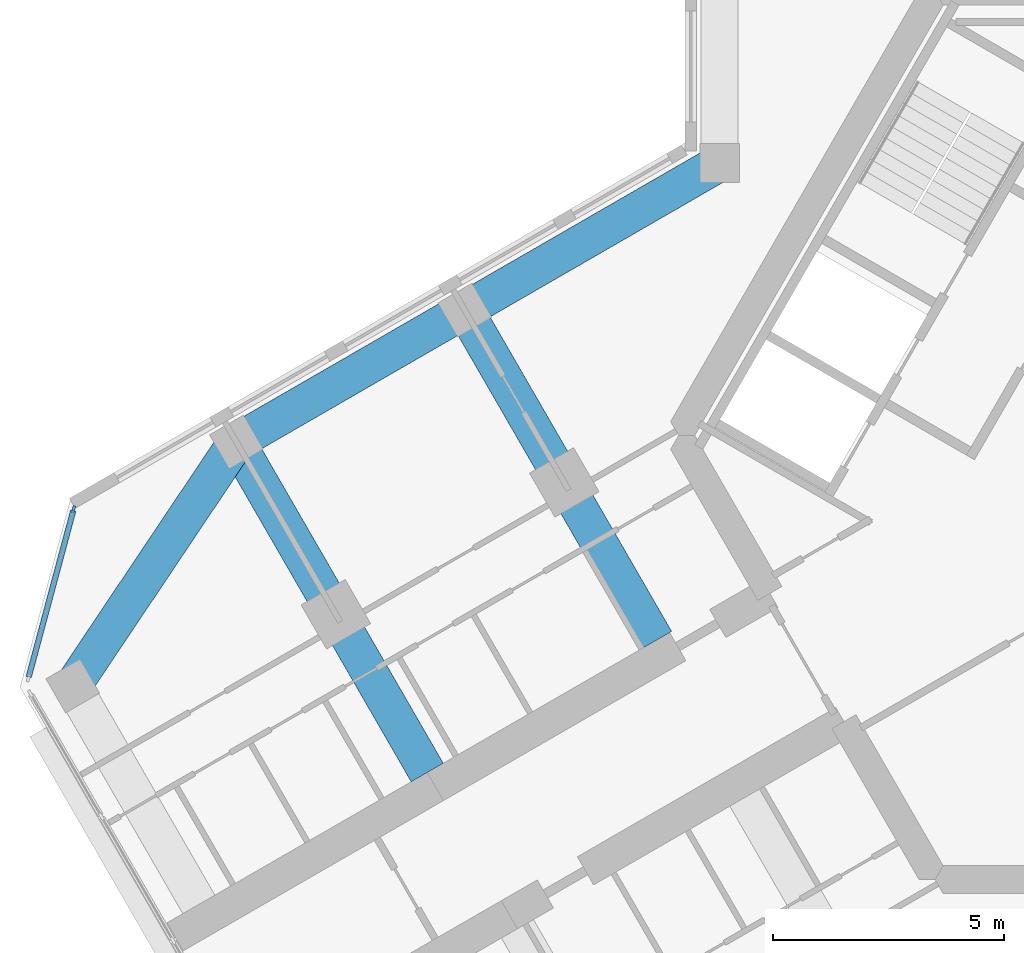
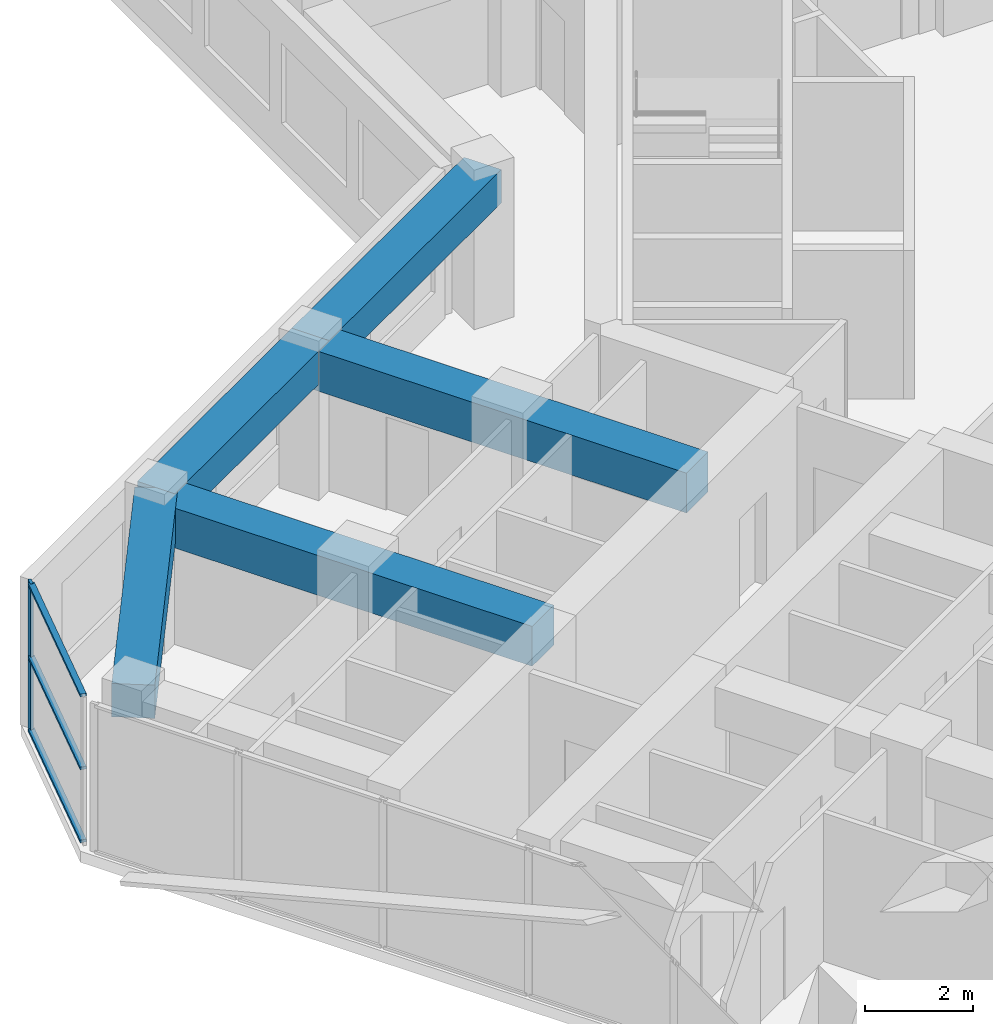
# One storey, part 3 of 16: 5 beams, 4 members, 1 element without a shape of its own.
"""IFC4 building model written with IfcOpenShell, lengths in metres."""

from ifc_helpers import new_model, si_unit, direction, frame, origin, origin_2d, place, context, subcontext, project, spatial, rectangle, extrude, material, material_profile, profile_set, type_object, element, aggregate, save


model = new_model("IFC4")

# Units and contexts
model_context = context("Model", 3, precision=1e-05, world=origin(), true_north=direction((0.0, 1.0)))
body_context = subcontext(model_context, "Body", "Model", "MODEL_VIEW")
ifc_project = project(units=[si_unit("LENGTHUNIT", "METRE"), si_unit("AREAUNIT", "SQUARE_METRE"), si_unit("VOLUMEUNIT", "CUBIC_METRE"), si_unit("PLANEANGLEUNIT", "RADIAN"), si_unit("MASSUNIT", "GRAM", prefix="KILO")], contexts=[model_context])

# Site, building, storey
site_placement = place(None, origin())
site = spatial("IfcSite", under=ifc_project, at=site_placement, CompositionType="ELEMENT")
building_placement = place(site_placement, origin())
building = spatial("IfcBuilding", under=site, at=building_placement, Name="Kosmar Iwan School Tower", CompositionType="ELEMENT")
storey_placement = place(building_placement, frame((0.0, 0.0, 231.60009765625)))
storey = spatial("IfcBuildingStorey", under=building, at=storey_placement, Name="L58", CompositionType="ELEMENT", Elevation=231.60009765625)

# Curtain wall, member
ifc_material_1 = material(Name="Dark glass in black aluminium frame", Category="aluminium")
curtain_wall_type = type_object("IfcCurtainWallType", Name="Chamfer curtain wall dark glass", PredefinedType="USERDEFINED", material=ifc_material_1)
curtain_wall_placement = place(storey_placement, origin())
curtain_wall = element("IfcCurtainWall", 1, at=curtain_wall_placement, inside=storey, type_object=curtain_wall_type, Name="Curtain wall L58-F10", ObjectType="FACETED CURTAIN WALL", PredefinedType="USERDEFINED")
ifc_material_2 = material(Name="Black anodised aluminium", Category="aluminium")
ifc_material_profile_1 = material_profile(ifc_material_2, rectangle(XDim=0.06005859375, YDim=0.159912109375, at=origin_2d()), Name="MULLION 60x160")
ifc_profile_set_1 = profile_set([ifc_material_profile_1], Name="Black anodised aluminium")
member_type_1 = type_object("IfcMemberType", Name="Mullion 60x160", PredefinedType="MULLION", material=ifc_profile_set_1)
member_1_placement = place(storey_placement, frame((-24.163818359375, -1.59814453125, 0.0), z_axis=(0.0, 0.0, 1.0), x_axis=(0.965925875495, -0.258818861462, 0.0)))
member_1 = element("IfcMember", 2, at=member_1_placement, type_object=member_type_1, Name="CW2 mullion 1", PredefinedType="MULLION", context=body_context, shape_type="SweptSolid", body=[
    extrude(rectangle(XDim=0.06005859375, YDim=0.159912109375, at=origin_2d()), origin(), (0.0, 0.0, 1.0), 3.349853515625),
])

# Beams
ifc_material_3 = material(Name="Concrete C50/60", Category="concrete")
ifc_material_profile_2 = material_profile(ifc_material_3, rectangle(XDim=0.800048828125, YDim=0.75, at=origin_2d()), Name="RC 800x750")
ifc_profile_set_2 = profile_set([ifc_material_profile_2], Name="Concrete C50/60")
beam_type_1 = type_object("IfcBeamType", Name="RC edge beam 800x750", PredefinedType="BEAM", material=ifc_profile_set_2)
beam_1_placement = place(storey_placement, frame((-10.199951171875, 5.888916015625, 2.974853515625), z_axis=(-0.866030912664, -0.49999045822, 0.0), x_axis=(0.49999045822, -0.866030912664, 0.0)))
element("IfcBeam", 3, at=beam_1_placement, inside=storey, type_object=beam_type_1, Name="Edge beam BR1", PredefinedType="BEAM", context=body_context, shape_type="SweptSolid", body=[
    extrude(rectangle(XDim=0.800048828125, YDim=0.75, at=origin_2d()), origin(), (0.0, 0.0, 1.0), 6.36083984375),
])
beam_2_placement = place(storey_placement, frame((-15.708740234375, 2.70849609375, 2.974853515625), z_axis=(-0.866025820012, -0.499999279071, 0.0), x_axis=(0.499999279071, -0.866025820012, 0.0)))
element("IfcBeam", 4, at=beam_2_placement, inside=storey, type_object=beam_type_1, Name="Edge beam BR2", PredefinedType="BEAM", context=body_context, shape_type="SweptSolid", body=[
    extrude(rectangle(XDim=0.800048828125, YDim=0.75, at=origin_2d()), origin(), (0.0, 0.0, 1.0), 5.7001953125),
])
ifc_material_4 = material(Name="Concrete C50/60", Category="concrete")
ifc_material_profile_3 = material_profile(ifc_material_4, rectangle(XDim=0.800048828125, YDim=0.75, at=origin_2d()), Name="RC 800x750")
ifc_profile_set_3 = profile_set([ifc_material_profile_3], Name="Concrete C50/60")
beam_type_2 = type_object("IfcBeamType", Name="RC tip beam 800x750", PredefinedType="BEAM", material=ifc_profile_set_3)
beam_3_placement = place(storey_placement, frame((-20.645263671875, -0.1416015625, 2.974853515625), z_axis=(-0.556827604145, -0.83062808721, 0.0), x_axis=(0.83062808721, -0.556827604145, 0.0)))
element("IfcBeam", 5, at=beam_3_placement, inside=storey, type_object=beam_type_2, Name="Tip beam BR", PredefinedType="BEAM", context=body_context, shape_type="SweptSolid", body=[
    extrude(rectangle(XDim=0.800048828125, YDim=0.75, at=origin_2d()), origin(), (0.0, 0.0, 1.0), 6.3505859375),
])
ifc_material_5 = material(Name="Concrete C50/60", Category="concrete")
ifc_material_profile_4 = material_profile(ifc_material_5, rectangle(XDim=0.800048828125, YDim=0.89990234375, at=origin_2d()), Name="RC 800x900")
ifc_profile_set_4 = profile_set([ifc_material_profile_4], Name="Concrete C50/60")
beam_type_3 = type_object("IfcBeamType", Name="RC transverse beam 800x900", PredefinedType="BEAM", material=ifc_profile_set_4)
beam_4_placement = place(storey_placement, frame((-15.708740234375, 2.70849609375, 2.89990234375), z_axis=(0.499996545922, -0.866027397988, 0.0), x_axis=(0.866027397988, 0.499996545922, 0.0)))
element("IfcBeam", 6, at=beam_4_placement, inside=storey, type_object=beam_type_3, Name="Transverse beam BR1", PredefinedType="BEAM", context=body_context, shape_type="SweptSolid", body=[
    extrude(rectangle(XDim=0.800048828125, YDim=0.89990234375, at=origin_2d()), origin(), (0.0, 0.0, 1.0), 8.25),
])
beam_5_placement = place(storey_placement, frame((-20.645263671875, -0.1416015625, 2.89990234375), z_axis=(0.500009360108, -0.866019999656, 0.0), x_axis=(0.866019999656, 0.500009360108, 0.0)))
element("IfcBeam", 7, at=beam_5_placement, inside=storey, type_object=beam_type_3, Name="Transverse beam BR2", PredefinedType="BEAM", context=body_context, shape_type="SweptSolid", body=[
    extrude(rectangle(XDim=0.800048828125, YDim=0.89990234375, at=origin_2d()), origin(), (0.0, 0.0, 1.0), 8.249755859375),
])

# Member
ifc_material_6 = material(Name="Black anodised aluminium", Category="aluminium")
ifc_material_profile_5 = material_profile(ifc_material_6, rectangle(XDim=0.1201171875, YDim=0.06005859375, at=origin_2d()), Name="TRANSOM 60x120")
ifc_profile_set_5 = profile_set([ifc_material_profile_5], Name="Black anodised aluminium")
member_type_2 = type_object("IfcMemberType", Name="Transom 60x120", PredefinedType="USERDEFINED", material=ifc_profile_set_5)
member_2_placement = place(storey_placement, frame((-24.17138671875, -1.627197265625, 0.02978515625), z_axis=(-0.258843273983, -0.965919333854, 0.0), x_axis=(0.965919333854, -0.258843273983, 0.0)))
member_2 = element("IfcMember", 8, at=member_2_placement, type_object=member_type_2, Name="CW2 transom 1.1", ObjectType="TRANSOM", PredefinedType="USERDEFINED", context=body_context, shape_type="SweptSolid", body=[
    extrude(rectangle(XDim=0.1201171875, YDim=0.06005859375, at=origin_2d()), origin(), (0.0, 0.0, 1.0), 3.718994140625),
])

member_3_placement = place(storey_placement, frame((-24.17138671875, -1.627197265625, 1.6748046875), z_axis=(-0.258843273983, -0.965919333854, 0.0), x_axis=(0.965919333854, -0.258843273983, 0.0)))
member_3 = element("IfcMember", 9, at=member_3_placement, type_object=member_type_2, Name="CW2 transom 1.2", ObjectType="TRANSOM", PredefinedType="USERDEFINED", context=body_context, shape_type="SweptSolid", body=[
    extrude(rectangle(XDim=0.1201171875, YDim=0.06005859375, at=origin_2d()), origin(), (0.0, 0.0, 1.0), 3.718994140625),
])

member_4_placement = place(storey_placement, frame((-24.17138671875, -1.627197265625, 3.31982421875), z_axis=(-0.258843273983, -0.965919333854, 0.0), x_axis=(0.965919333854, -0.258843273983, 0.0)))
member_4 = element("IfcMember", 10, at=member_4_placement, type_object=member_type_2, Name="CW2 transom 1.3", ObjectType="TRANSOM", PredefinedType="USERDEFINED", context=body_context, shape_type="SweptSolid", body=[
    extrude(rectangle(XDim=0.1201171875, YDim=0.06005859375, at=origin_2d()), origin(), (0.0, 0.0, 1.0), 3.718994140625),
])

aggregate(curtain_wall, [member_1, member_2, member_3, member_4])

save(model, "model.ifc")
